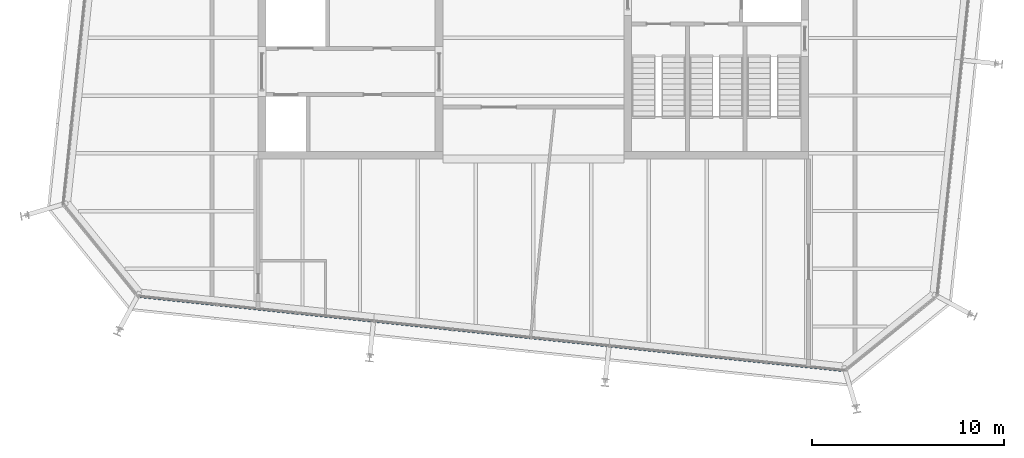
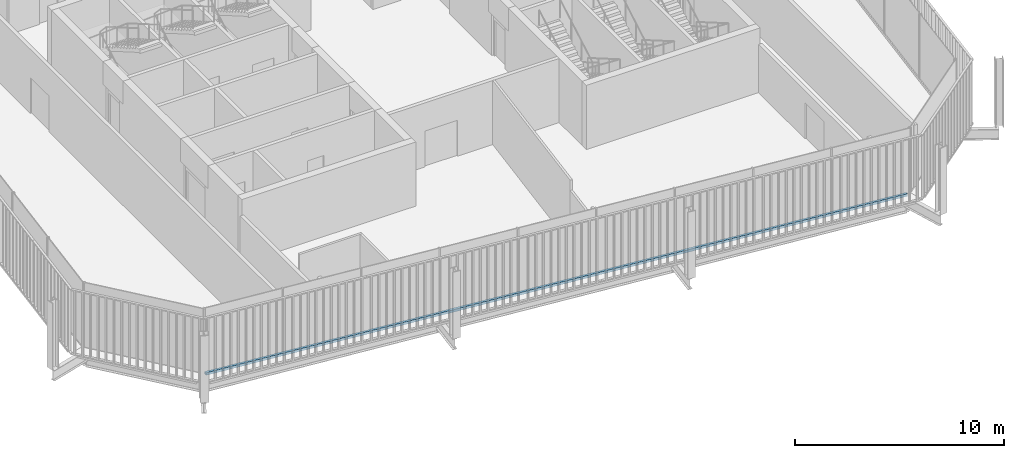
# One storey, part 4 of 20: 1 member, 1 element without a shape of its own.
"""IFC4 building model written with IfcOpenShell, lengths in metres."""

from ifc_helpers import new_model, si_unit, direction, frame, origin, origin_2d, place, context, subcontext, project, spatial, rectangle, extrude, material, layer, layer_set, material_profile, profile_set, type_object, element, aggregate, save


model = new_model("IFC4")

# Units and contexts
model_context = context("Model", 3, precision=1e-05, world=origin(), true_north=direction((0.0, 1.0)))
body_context = subcontext(model_context, "Body", "Model", "MODEL_VIEW")
ifc_project = project(units=[si_unit("LENGTHUNIT", "METRE"), si_unit("AREAUNIT", "SQUARE_METRE"), si_unit("VOLUMEUNIT", "CUBIC_METRE"), si_unit("PLANEANGLEUNIT", "RADIAN"), si_unit("MASSUNIT", "GRAM", prefix="KILO")], contexts=[model_context])

# Site, building, storey
site_placement = place(None, origin())
site = spatial("IfcSite", under=ifc_project, at=site_placement, CompositionType="ELEMENT")
building_placement = place(site_placement, origin())
building = spatial("IfcBuilding", under=site, at=building_placement, Name="Millrace Tower", CompositionType="ELEMENT")
storey_placement = place(building_placement, frame((0.0, 0.0, 330.39990234375)))
storey = spatial("IfcBuildingStorey", under=building, at=storey_placement, Name="L76", CompositionType="ELEMENT", Elevation=330.39990234375)

# Curtain wall, member
ifc_material_1 = material(Name="Aluminium and glass", Category="aluminium")
ifc_layer = layer(ifc_material_1, 0.14990234375)
ifc_layer_set = layer_set([ifc_layer], Name="Aluminium and glass")
curtain_wall_type = type_object("IfcCurtainWallType", Name="CW-1 office vision curtain wall", PredefinedType="NOTDEFINED", material=ifc_layer_set)
curtain_wall_placement = place(storey_placement, origin())
curtain_wall = element("IfcCurtainWall", 1, at=curtain_wall_placement, inside=storey, type_object=curtain_wall_type, Name="Curtain wall E-F02 L76", PredefinedType="NOTDEFINED")
ifc_material_2 = material(Name="Aluminium", Category="aluminium")
ifc_material_profile = material_profile(ifc_material_2, rectangle(XDim=0.14990234375, YDim=0.139892578125, at=origin_2d()))
ifc_profile_set = profile_set([ifc_material_profile], Name="Aluminium")
member_type = type_object("IfcMemberType", Name="CW-1 office vision curtain wall transom", PredefinedType="USERDEFINED", material=ifc_profile_set)
member_placement = place(storey_placement, frame((-20.435302734375, -16.431884765625, 0.070068359375), z_axis=(0.994521952886, -0.104527916025, 0.0), x_axis=(0.104527916025, 0.994521952886, 0.0)))
member = element("IfcMember", 2, at=member_placement, type_object=member_type, Name="CW1 transom E-F02.1", ObjectType="TRANSOM", PredefinedType="USERDEFINED", context=body_context, shape_type="SweptSolid", body=[
    extrude(rectangle(XDim=0.14990234375, YDim=0.139892578125, at=origin_2d()), origin(), (0.0, 0.0, 1.0), 36.699951171875),
])
aggregate(curtain_wall, [member])

save(model, "model.ifc")
